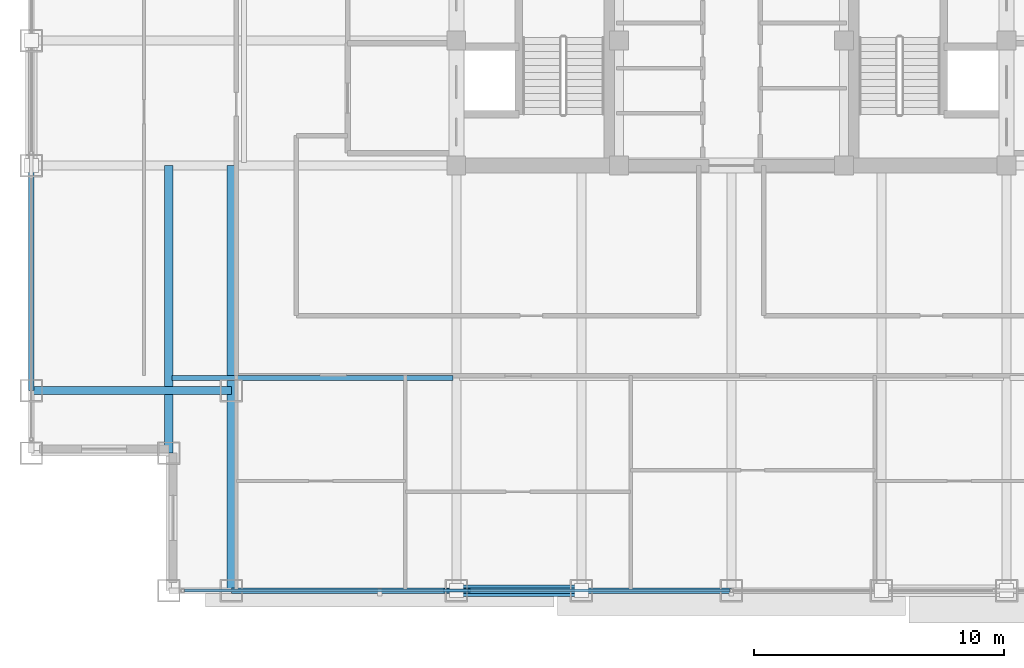
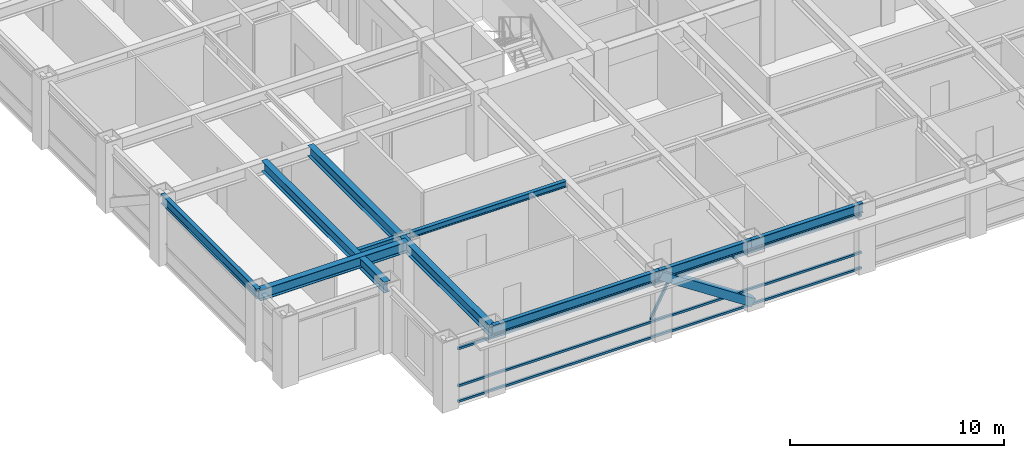
# One storey, part 3 of 29: 8 beams, 5 members, 1 element without a shape of its own.
"""IFC4 building model written with IfcOpenShell, lengths in metres."""

from ifc_helpers import new_model, si_unit, direction, frame, origin, origin_2d, place, context, subcontext, project, spatial, hollow_rectangle, i_section, extrude, source, transform, mapped, material, material_profile, profile_set, type_object, element, aggregate, save


model = new_model("IFC4")

# Units and contexts
model_context = context("Model", 3, precision=1e-05, world=origin(), true_north=direction((0.0, 1.0)))
body_context = subcontext(model_context, "Body", "Model", "MODEL_VIEW")
ifc_project = project(units=[si_unit("LENGTHUNIT", "METRE"), si_unit("AREAUNIT", "SQUARE_METRE"), si_unit("VOLUMEUNIT", "CUBIC_METRE"), si_unit("PLANEANGLEUNIT", "RADIAN"), si_unit("MASSUNIT", "GRAM", prefix="KILO")], contexts=[model_context])

# Site, building, storey
site_placement = place(None, origin())
site = spatial("IfcSite", under=ifc_project, at=site_placement, CompositionType="ELEMENT")
building_placement = place(site_placement, origin())
building = spatial("IfcBuilding", under=site, at=building_placement, Name="Khorayat Bourse Tower", CompositionType="ELEMENT")
storey_placement = place(building_placement, frame((0.0, 0.0, 277.5)))
storey = spatial("IfcBuildingStorey", under=building, at=storey_placement, Name="L65", CompositionType="ELEMENT", Elevation=277.5)

# Beam
ifc_material_1 = material(Name="Steel ASTM A992 Grade 50", Category="steel")
ifc_material_profile_1 = material_profile(ifc_material_1, i_section(OverallWidth=0.324951171875, OverallDepth=0.615966796875, WebThickness=0.013916015625, FlangeThickness=0.021484375, FilletRadius=0.01611328125, at=origin_2d()), Name="W610X174")
ifc_profile_set_1 = profile_set([ifc_material_profile_1], Name="Steel ASTM A992 Grade 50")
beam_type_1 = type_object("IfcBeamType", Name="BM-GIRD-610", PredefinedType="BEAM", material=ifc_profile_set_1)
shared_shape_1 = source(origin(), body_context, "Body", "SweptSolid", [
    extrude(i_section(OverallWidth=0.324951171875, OverallDepth=0.615966796875, WebThickness=0.013916015625, FlangeThickness=0.021484375, FilletRadius=0.01611328125, at=origin_2d()), origin(), (0.0, 0.0, 1.0), 17.0),
])
beam_1_placement = place(storey_placement, frame((-20.0, -28.0, 3.471923828125), z_axis=(0.0, 1.0, 0.0), x_axis=(-1.0, 0.0, 0.0)))
element("IfcBeam", 1, at=beam_1_placement, inside=storey, type_object=beam_type_1, Name="L65 BM-GIRD-610 BM-L65-CNRY-084", PredefinedType="BEAM", context=body_context, shape_type="MappedRepresentation", body=[
    mapped(shared_shape_1, transform((0.0, 0.0, 0.0), scale=1.0)),
])

# Member
ifc_material_2 = material(Name="Steel EN 10025-4 S460M", Category="steel")
ifc_material_profile_2 = material_profile(ifc_material_2, hollow_rectangle(XDim=0.449951171875, YDim=0.449951171875, WallThickness=0.02490234375, at=origin_2d()), Name="HSS 450x450x25")
ifc_profile_set_2 = profile_set([ifc_material_profile_2], Name="Steel EN 10025-4 S460M")
member_type_1 = type_object("IfcMemberType", Name="MBR-TUBE-450", PredefinedType="BRACE", material=ifc_profile_set_2)
shared_shape_2 = source(origin(), body_context, "Body", "SweptSolid", [
    extrude(hollow_rectangle(XDim=0.449951171875, YDim=0.449951171875, WallThickness=0.02490234375, at=origin_2d()), origin(), (0.0, 0.0, 1.0), 5.979736328125),
])
member_1_placement = place(storey_placement, frame((-11.0, -28.0, 3.530029296875), z_axis=(0.836141536525, 0.0, -0.548513747227), x_axis=(0.0, 1.0, 0.0)))
element("IfcMember", 2, at=member_1_placement, inside=storey, type_object=member_type_1, Name="L65 Perimeter Tube Brace 01", PredefinedType="BRACE", context=body_context, shape_type="MappedRepresentation", body=[
    mapped(shared_shape_2, transform((0.0, 0.0, 0.0), scale=1.0)),
])

# Beams
shared_shape_3 = source(origin(), body_context, "Body", "SweptSolid", [
    extrude(i_section(OverallWidth=0.324951171875, OverallDepth=0.615966796875, WebThickness=0.013916015625, FlangeThickness=0.021484375, FilletRadius=0.01611328125, at=origin_2d()), origin(), (0.0, 0.0, 1.0), 11.5),
])
beam_2_placement = place(storey_placement, frame((-22.5, -22.5, 3.471923828125), z_axis=(0.0, 1.0, 0.0), x_axis=(-1.0, 0.0, 0.0)))
element("IfcBeam", 3, at=beam_2_placement, inside=storey, type_object=beam_type_1, Name="L65 BM-GIRD-610 BM-L65-CNRY-088", PredefinedType="BEAM", context=body_context, shape_type="MappedRepresentation", body=[
    mapped(shared_shape_3, transform((0.0, 0.0, 0.0), scale=1.0)),
])
shared_shape_4 = source(origin(), body_context, "Body", "SweptSolid", [
    extrude(i_section(OverallWidth=0.324951171875, OverallDepth=0.615966796875, WebThickness=0.013916015625, FlangeThickness=0.021484375, FilletRadius=0.01611328125, at=origin_2d()), origin(), (0.0, 0.0, 1.0), 8.0),
])
beam_3_placement = place(storey_placement, frame((-28.0, -20.0, 3.471923828125), z_axis=(1.0, 0.0, 0.0), x_axis=(0.0, 1.0, 0.0)))
element("IfcBeam", 4, at=beam_3_placement, inside=storey, type_object=beam_type_1, Name="L65 BM-GIRD-610 BM-L65-CNRX-093", PredefinedType="BEAM", context=body_context, shape_type="MappedRepresentation", body=[
    mapped(shared_shape_4, transform((0.0, 0.0, 0.0), scale=1.0)),
])
ifc_material_profile_3 = material_profile(ifc_material_1, i_section(OverallWidth=0.202880859375, OverallDepth=0.346923828125, WebThickness=0.0078125, FlangeThickness=0.013427734375, FilletRadius=0.010009765625, at=origin_2d()), Name="W360X64")
ifc_profile_set_3 = profile_set([ifc_material_profile_3], Name="Steel ASTM A992 Grade 50")
beam_type_2 = type_object("IfcBeamType", Name="BM-JOIST-360", PredefinedType="JOIST", material=ifc_profile_set_3)
shared_shape_5 = source(origin(), body_context, "Body", "SweptSolid", [
    extrude(i_section(OverallWidth=0.202880859375, OverallDepth=0.346923828125, WebThickness=0.0078125, FlangeThickness=0.013427734375, FilletRadius=0.010009765625, at=origin_2d()), origin(), (0.0, 0.0, 1.0), 11.240234375),
])
beam_4_placement = place(storey_placement, frame((-22.3701171875, -19.5, 3.6064453125), z_axis=(1.0, 0.0, 0.0), x_axis=(0.0, 1.0, 0.0)))
element("IfcBeam", 5, at=beam_4_placement, inside=storey, type_object=beam_type_2, Name="L65 BM-JOIST-360 BM-L65-JSTX-096", PredefinedType="JOIST", context=body_context, shape_type="MappedRepresentation", body=[
    mapped(shared_shape_5, transform((0.0, 0.0, 0.0), scale=1.0)),
])
ifc_material_profile_4 = material_profile(ifc_material_1, i_section(OverallWidth=0.214111328125, OverallDepth=0.549072265625, WebThickness=0.0146484375, FlangeThickness=0.023681640625, FilletRadius=0.013916015625, at=origin_2d()), Name="W530X138")
ifc_profile_set_4 = profile_set([ifc_material_profile_4], Name="Steel ASTM A992 Grade 50")
beam_type_3 = type_object("IfcBeamType", Name="BM-SPAN-530", PredefinedType="SPANDREL", material=ifc_profile_set_4)
shared_shape_6 = source(origin(), body_context, "Body", "SweptSolid", [
    extrude(i_section(OverallWidth=0.214111328125, OverallDepth=0.549072265625, WebThickness=0.0146484375, FlangeThickness=0.023681640625, FilletRadius=0.013916015625, at=origin_2d()), origin(), (0.0, 0.0, 1.0), 9.0),
])
for number, where, z_axis, x_axis, name in (
    (6, (-20.0, -28.0, 3.505615234375), (1.0, 0.0, 0.0), (0.0, 1.0, 0.0), "L65 BM-SPAN-530 BM-L65-SPN-025"),
    (7, (-28.0, -20.0, 3.505615234375), (0.0, 1.0, 0.0), (-1.0, 0.0, 0.0), "L65 BM-SPAN-530 BM-L65-SPN-060"),
):
    element("IfcBeam", number, at=place(storey_placement, frame(where, z_axis=z_axis, x_axis=x_axis)), inside=storey, type_object=beam_type_3, Name=name, PredefinedType="SPANDREL", context=body_context, shape_type="MappedRepresentation", body=[
        mapped(shared_shape_6, transform((0.0, 0.0, 0.0), scale=1.0)),
    ])
shared_shape_7 = source(origin(), body_context, "Body", "SweptSolid", [
    extrude(i_section(OverallWidth=0.214111328125, OverallDepth=0.549072265625, WebThickness=0.0146484375, FlangeThickness=0.023681640625, FilletRadius=0.013916015625, at=origin_2d()), origin(), (0.0, 0.0, 1.0), 5.0),
])
beam_5_placement = place(storey_placement, frame((-11.0, -28.0, 3.505615234375), z_axis=(1.0, 0.0, 0.0), x_axis=(0.0, 1.0, 0.0)))
element("IfcBeam", 8, at=beam_5_placement, inside=storey, type_object=beam_type_3, Name="L65 BM-SPAN-530 BM-L65-SPN-026", PredefinedType="SPANDREL", context=body_context, shape_type="MappedRepresentation", body=[
    mapped(shared_shape_7, transform((0.0, 0.0, 0.0), scale=1.0)),
])
shared_shape_8 = source(origin(), body_context, "Body", "SweptSolid", [
    extrude(i_section(OverallWidth=0.214111328125, OverallDepth=0.549072265625, WebThickness=0.0146484375, FlangeThickness=0.023681640625, FilletRadius=0.013916015625, at=origin_2d()), origin(), (0.0, 0.0, 1.0), 6.0),
])
beam_6_placement = place(storey_placement, frame((-6.0, -28.0, 3.505615234375), z_axis=(1.0, 0.0, 0.0), x_axis=(0.0, 1.0, 0.0)))
element("IfcBeam", 9, at=beam_6_placement, inside=storey, type_object=beam_type_3, Name="L65 BM-SPAN-530 BM-L65-SPN-027", PredefinedType="SPANDREL", context=body_context, shape_type="MappedRepresentation", body=[
    mapped(shared_shape_8, transform((0.0, 0.0, 0.0), scale=1.0)),
])

# Curtain wall, members
ifc_material_3 = material(Name="Aluminium EN AW-6063 T6", Category="aluminium")
curtain_wall_type = type_object("IfcCurtainWallType", Name="CW-SYS-04", PredefinedType="NOTDEFINED", material=ifc_material_3)
curtain_wall_placement = place(storey_placement, origin())
curtain_wall = element("IfcCurtainWall", 10, at=curtain_wall_placement, inside=storey, type_object=curtain_wall_type, Name="L65 Curtain Wall CW-L65-S1", PredefinedType="NOTDEFINED")
ifc_material_profile_5 = material_profile(ifc_material_3, hollow_rectangle(XDim=0.1201171875, YDim=0.1201171875, WallThickness=0.0048828125, at=origin_2d()), Name="ALU 120x120x5")
ifc_profile_set_5 = profile_set([ifc_material_profile_5], Name="Aluminium EN AW-6063 T6")
member_type_2 = type_object("IfcMemberType", Name="CWM-DIAG-120", PredefinedType="MULLION", material=ifc_profile_set_5)
shared_shape_9 = source(origin(), body_context, "Body", "SweptSolid", [
    extrude(hollow_rectangle(XDim=0.1201171875, YDim=0.1201171875, WallThickness=0.0048828125, at=origin_2d()), origin(), (0.0, 0.0, 1.0), 2.0791015625),
])
member_2_placement = place(storey_placement, frame((-11.4541015625, -28.0, 1.090087890625), z_axis=(0.465717394116, 0.0, 0.884933505309), x_axis=(0.0, 1.0, 0.0)))
member_2 = element("IfcMember", 11, at=member_2_placement, type_object=member_type_2, Name="CW-L65-S1 Faceted Diagonal Mullion 1", PredefinedType="MULLION", context=body_context, shape_type="MappedRepresentation", body=[
    mapped(shared_shape_9, transform((0.0, 0.0, 0.0), scale=1.0)),
])
ifc_material_profile_6 = material_profile(ifc_material_3, hollow_rectangle(XDim=0.1201171875, YDim=0.1201171875, WallThickness=0.0048828125, at=origin_2d()), Name="ALU 120x120x5")
ifc_profile_set_6 = profile_set([ifc_material_profile_6], Name="Aluminium EN AW-6063 T6")
member_type_3 = type_object("IfcMemberType", Name="CWT-HORZ-120", PredefinedType="USERDEFINED", material=ifc_profile_set_6)
shared_shape_10 = source(origin(), body_context, "Body", "SweptSolid", [
    extrude(hollow_rectangle(XDim=0.1201171875, YDim=0.1201171875, WallThickness=0.0048828125, at=origin_2d()), origin(), (0.0, 0.0, 1.0), 21.81982421875),
])
member_3_placement = place(storey_placement, frame((-21.8798828125, -28.0, 0.06005859375), z_axis=(1.0, 0.0, 0.0), x_axis=(0.0, 1.0, 0.0)))
member_3 = element("IfcMember", 12, at=member_3_placement, type_object=member_type_3, Name="CW-L65-S1 Horizontal Transom 1-1", ObjectType="TRANSOM", PredefinedType="USERDEFINED", context=body_context, shape_type="MappedRepresentation", body=[
    mapped(shared_shape_10, transform((0.0, 0.0, 0.0), scale=1.0)),
])
member_4_placement = place(storey_placement, frame((-21.8798828125, -28.0, 0.949951171875), z_axis=(1.0, 0.0, 0.0), x_axis=(0.0, 1.0, 0.0)))
member_4 = element("IfcMember", 13, at=member_4_placement, type_object=member_type_3, Name="CW-L65-S1 Horizontal Transom 1-2", ObjectType="TRANSOM", PredefinedType="USERDEFINED", context=body_context, shape_type="MappedRepresentation", body=[
    mapped(shared_shape_10, transform((0.0, 0.0, 0.0), scale=1.0)),
])
member_5_placement = place(storey_placement, frame((-21.8798828125, -28.0, 3.070068359375), z_axis=(1.0, 0.0, 0.0), x_axis=(0.0, 1.0, 0.0)))
member_5 = element("IfcMember", 14, at=member_5_placement, type_object=member_type_3, Name="CW-L65-S1 Horizontal Transom 1-3", ObjectType="TRANSOM", PredefinedType="USERDEFINED", context=body_context, shape_type="MappedRepresentation", body=[
    mapped(shared_shape_10, transform((0.0, 0.0, 0.0), scale=1.0)),
])
aggregate(curtain_wall, [member_3, member_4, member_5, member_2])

save(model, "model.ifc")
